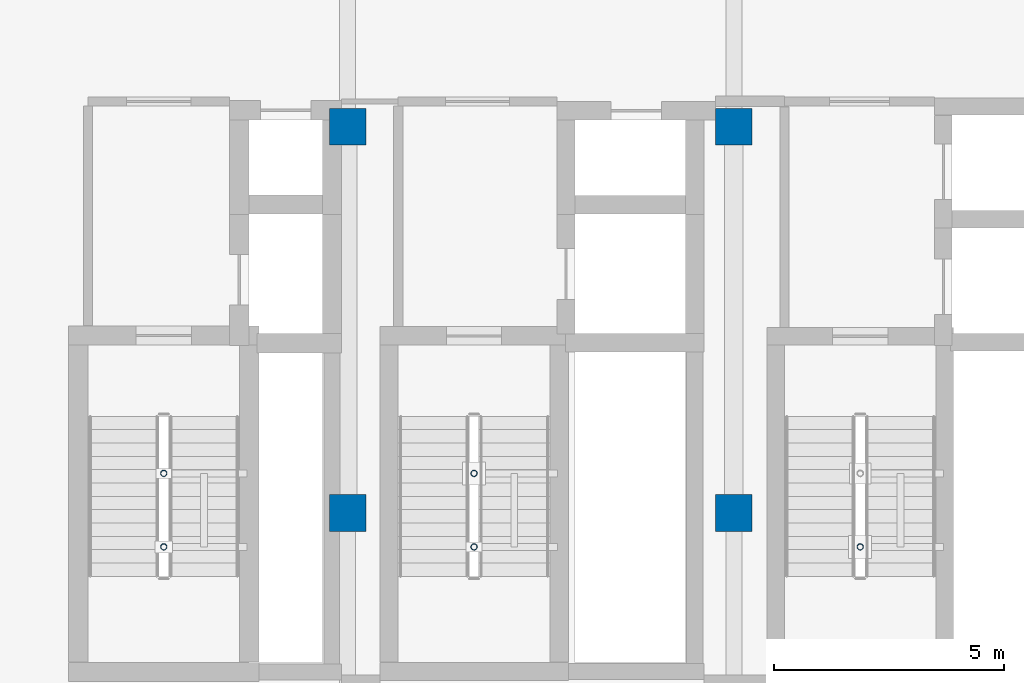
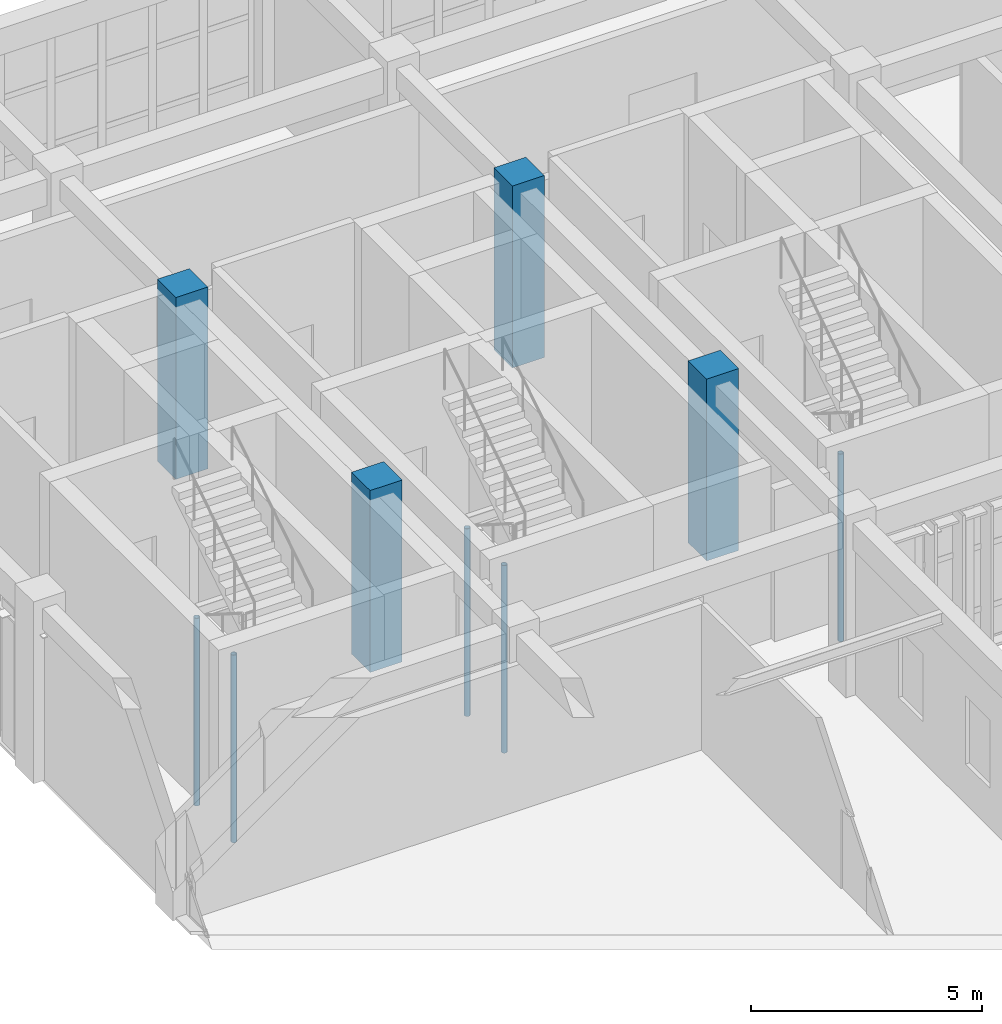
# One storey, part 2 of 76: 9 columns.
"""IFC4 building model written with IfcOpenShell, lengths in metres."""

from ifc_helpers import new_model, si_unit, direction, frame, origin, origin_2d, place, context, subcontext, project, spatial, rectangle, hollow_circle, extrude, material, material_profile, profile_set, type_object, element, save


model = new_model("IFC4")

# Units and contexts
model_context = context("Model", 3, precision=1e-05, world=origin(), true_north=direction((0.0, 1.0)))
body_context = subcontext(model_context, "Body", "Model", "MODEL_VIEW")
ifc_project = project(units=[si_unit("LENGTHUNIT", "METRE"), si_unit("AREAUNIT", "SQUARE_METRE"), si_unit("VOLUMEUNIT", "CUBIC_METRE"), si_unit("PLANEANGLEUNIT", "RADIAN"), si_unit("MASSUNIT", "GRAM", prefix="KILO")], contexts=[model_context])

# Site, building, storey
site_placement = place(None, origin())
site = spatial("IfcSite", under=ifc_project, at=site_placement, CompositionType="ELEMENT")
building_placement = place(site_placement, origin())
building = spatial("IfcBuilding", under=site, at=building_placement, Name="Krzemoval Escarpment Law Courts", CompositionType="ELEMENT")
storey_placement = place(building_placement, frame((0.0, 0.0, 20.39990234375)))
storey = spatial("IfcBuildingStorey", under=building, at=storey_placement, Name="L04", CompositionType="ELEMENT", Elevation=20.39990234375)

# Columns
ifc_material_1 = material(Name="Concrete C40/50", Category="concrete")
ifc_material_profile_1 = material_profile(ifc_material_1, rectangle(XDim=0.800048828125, YDim=0.800048828125, at=origin_2d()), Name="RC 800x800")
ifc_profile_set_1 = profile_set([ifc_material_profile_1], Name="Concrete C40/50")
column_type_1 = type_object("IfcColumnType", Name="COL-RC-800", PredefinedType="COLUMN", material=ifc_profile_set_1)
for number, where, z_axis, x_axis, name in (
    (1, (134.39990234375, 99.60009765625, 0.0), (0.0, 0.0, 1.0), (1.0, 0.0, 0.0), "Column FC-L04-1212"),
    (2, (134.39990234375, 108.0, 0.0), (0.0, 0.0, 1.0), (1.0, 0.0, 0.0), "Column FC-L04-1213"),
    (3, (142.800048828125, 99.60009765625, 0.0), (0.0, 0.0, 1.0), (1.0, 0.0, 0.0), "Column FC-L04-1219"),
    (4, (142.800048828125, 108.0, 0.0), (0.0, 0.0, 1.0), (1.0, 0.0, 0.0), "Column FC-L04-1220"),
):
    element("IfcColumn", number, at=place(storey_placement, frame(where, z_axis=z_axis, x_axis=x_axis)), inside=storey, type_object=column_type_1, Name=name, PredefinedType="COLUMN", context=body_context, shape_type="SweptSolid", body=[
        extrude(rectangle(XDim=0.800048828125, YDim=0.800048828125, at=origin_2d()), origin(), (0.0, 0.0, 1.0), 4.800048828125),
    ])
ifc_material_2 = material(Name="Steel S355", Category="steel")
ifc_material_profile_2 = material_profile(ifc_material_2, hollow_circle(Radius=0.06982421875, WallThickness=0.008056640625, at=origin_2d()), Name="CHS 139.7x8")
ifc_profile_set_2 = profile_set([ifc_material_profile_2], Name="Steel S355")
column_type_2 = type_object("IfcColumnType", Name="COL-S355-CHS140", PredefinedType="COLUMN", material=ifc_profile_set_2)
for number, where, z_axis, x_axis, name in (
    (5, (130.39990234375, 98.860107421875, -2.97998046875), (0.0, 0.0, 1.0), (1.0, 0.0, 0.0), "Stair Well Post SCP-C1-L04-1"),
    (6, (130.39990234375, 100.4599609375, -2.97998046875), (0.0, 0.0, 1.0), (1.0, 0.0, 0.0), "Stair Well Post SCP-C1-L04-2"),
    (7, (137.14990234375, 98.860107421875, -2.97998046875), (0.0, 0.0, 1.0), (1.0, 0.0, 0.0), "Stair Well Post SCP-C2-L04-1"),
    (8, (137.14990234375, 100.4599609375, -2.97998046875), (0.0, 0.0, 1.0), (1.0, 0.0, 0.0), "Stair Well Post SCP-C2-L04-2"),
    (9, (145.550048828125, 98.860107421875, -2.97998046875), (0.0, 0.0, 1.0), (1.0, 0.0, 0.0), "Stair Well Post SCP-C3-L04-1"),
):
    element("IfcColumn", number, at=place(storey_placement, frame(where, z_axis=z_axis, x_axis=x_axis)), inside=storey, type_object=column_type_2, Name=name, PredefinedType="COLUMN", context=body_context, shape_type="SweptSolid", body=[
        extrude(hollow_circle(Radius=0.06982421875, WallThickness=0.008056640625, at=origin_2d()), origin(), (0.0, 0.0, 1.0), 4.9501953125),
    ])

save(model, "model.ifc")
